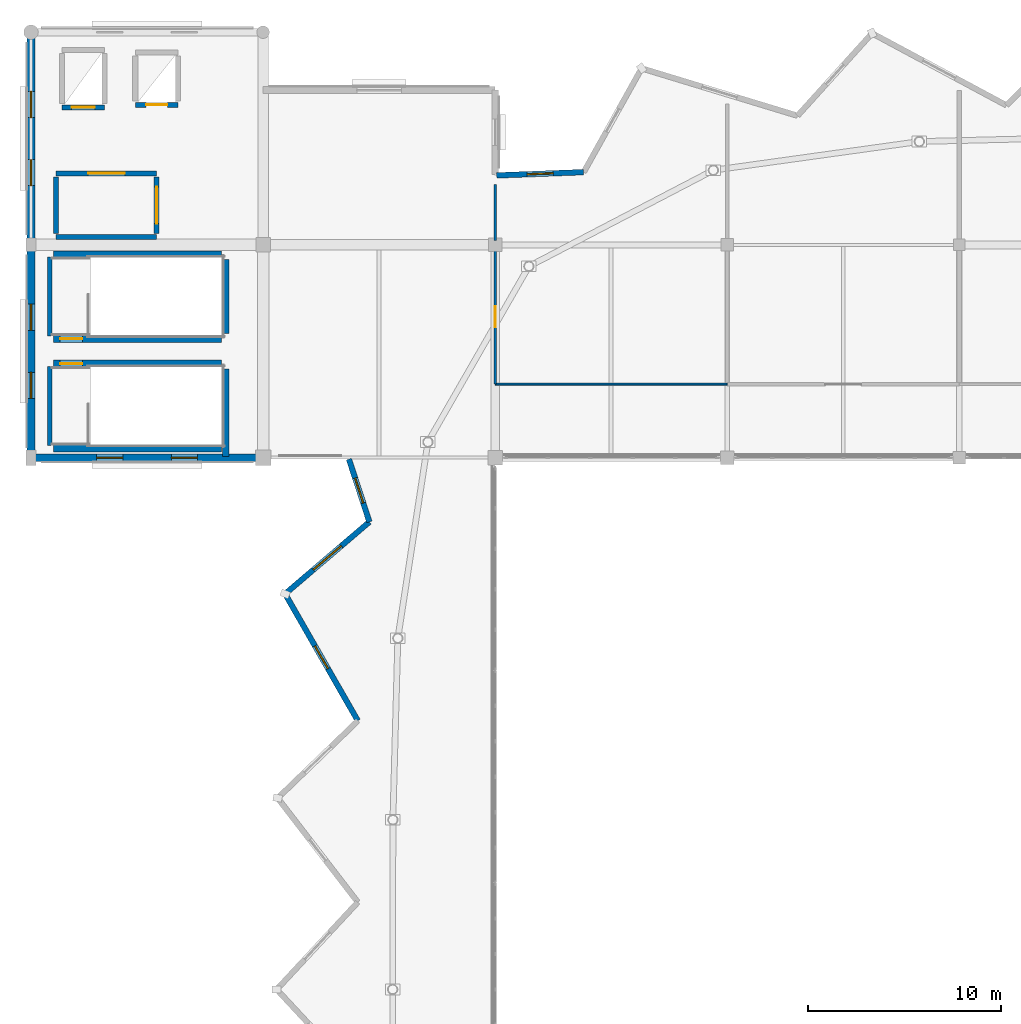
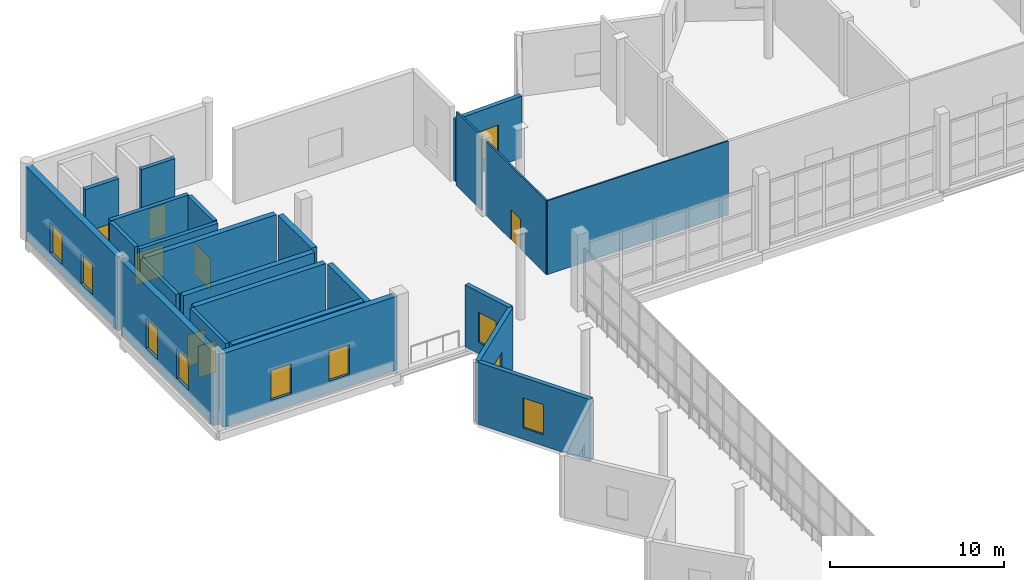
# One storey, part 41 of 49: 24 walls, 10 windows, 7 doors, 17 openings.
"""IFC4 building model written with IfcOpenShell, lengths in metres."""

from ifc_helpers import new_model, si_unit, direction, frame, frame_2d, origin, place, context, subcontext, project, spatial, rectangle, extrude, material, layer, layer_set, type_object, element, fill, save


model = new_model("IFC4")

# Units and contexts
model_context = context("Model", 3, precision=1e-05, world=origin(), true_north=direction((0.0, 1.0)))
body_context = subcontext(model_context, "Body", "Model", "MODEL_VIEW")
ifc_project = project(units=[si_unit("LENGTHUNIT", "METRE"), si_unit("AREAUNIT", "SQUARE_METRE"), si_unit("VOLUMEUNIT", "CUBIC_METRE"), si_unit("PLANEANGLEUNIT", "RADIAN"), si_unit("MASSUNIT", "GRAM", prefix="KILO")], contexts=[model_context])

# Site, building, storey
site_placement = place(None, origin())
site = spatial("IfcSite", under=ifc_project, at=site_placement, CompositionType="ELEMENT")
building_placement = place(site_placement, origin())
building = spatial("IfcBuilding", under=site, at=building_placement, Name="Luwafu Chhajja Arena", CompositionType="ELEMENT")
storey_placement = place(building_placement, frame((0.0, 0.0, 24.300048828125)))
storey = spatial("IfcBuildingStorey", under=building, at=storey_placement, Name="L05", CompositionType="ELEMENT", Elevation=24.300048828125)

# Wall
ifc_material_1 = material(Name="Gypsum plasterboard partition")
ifc_layer_1 = layer(ifc_material_1, 0.10009765625, Name="Gypsum plasterboard partition")
ifc_layer_set_1 = layer_set([ifc_layer_1], Name="Gypsum plasterboard partition")
wall_type_1 = type_object("IfcWallType", Name="Drywall Lining Partition 100", PredefinedType="PARTITIONING", material=ifc_layer_set_1)
wall_1_placement = place(storey_placement, frame((58.0, 80.800048828125, 0.0), z_axis=(0.0, 0.0, 1.0), x_axis=(1.0, 0.0, 0.0)))
element("IfcWall", 1, at=wall_1_placement, inside=storey, type_object=wall_type_1, Name="L05 Internal Partition 0350", PredefinedType="PARTITIONING", context=body_context, shape_type="SweptSolid", body=[
    extrude(rectangle(XDim=12.0, YDim=0.10009765625, at=frame_2d((6.0, 0.0))), origin(), (0.0, 0.0, 1.0), 5.179931640625),
])

# Wall, opening, door
ifc_material_2 = material(Name="Concrete C40/50", Category="concrete")
ifc_layer_2 = layer(ifc_material_2, 0.260009765625, Name="Concrete C40/50")
ifc_layer_set_2 = layer_set([ifc_layer_2], Name="Concrete C40/50")
wall_type_2 = type_object("IfcWallType", Name="Firefighting Lobby Wall 260", PredefinedType="SOLIDWALL", material=ifc_layer_set_2)
wall_2_placement = place(storey_placement, frame((35.300048828125, 91.699951171875, 0.0), z_axis=(0.0, 0.0, 1.0), x_axis=(1.0, 0.0, 0.0)))
wall_2 = element("IfcWall", 2, at=wall_2_placement, inside=storey, type_object=wall_type_2, Name="L05 Core C3 Firefighting Lobby Wall N", PredefinedType="SOLIDWALL", context=body_context, shape_type="SweptSolid", body=[
    extrude(rectangle(XDim=5.199951171875, YDim=0.260009765625, at=frame_2d((2.60009765625, 0.0))), origin(), (0.0, 0.0, 1.0), 5.179931640625),
])
opening_1_placement = place(wall_2_placement, frame((1.64990234375, 0.0, 0.0)))
opening_1 = element("IfcOpeningElement", 3, at=opening_1_placement, cuts=wall_2, Name="Opening DR-07", PredefinedType="OPENING", context=body_context, shape_type="SweptSolid", body=[
    extrude(rectangle(XDim=1.89990234375, YDim=2.199951171875, at=frame_2d((0.949951171875, 1.10009765625))), frame((0.0, 0.139892578125, 0.0), z_axis=(0.0, -1.0, 0.0), x_axis=(1.0, 0.0, 0.0)), (0.0, 0.0, 1.0), 0.280029296875),
])
ifc_material_3 = material(Name="Fire-rated hardwood and vision panel", Category="wood")
door_type_1 = type_object("IfcDoorType", Name="DR-07", OperationType="DOUBLE_DOOR_SINGLE_SWING", PredefinedType="DOOR", material=ifc_material_3)
door_1_placement = place(opening_1_placement, origin())
door_1 = element("IfcDoor", 4, at=door_1_placement, inside=storey, type_object=door_type_1, Name="L05 Firefighting Lobby C3 Door L05-D011", OperationType="DOUBLE_DOOR_SINGLE_SWING", OverallHeight=2.199951171875, OverallWidth=1.89990234375, PredefinedType="DOOR", context=body_context, shape_type="SweptSolid", body=[
    extrude(rectangle(XDim=1.89990234375, YDim=2.199951171875, at=frame_2d((0.949951171875, 1.10009765625))), frame((0.0, 0.02490234375, 0.0), z_axis=(0.0, -1.0, 0.0), x_axis=(1.0, 0.0, 0.0)), (0.0, 0.0, 1.0), 0.050048828125),
])
fill(opening_1, door_1)

# Walls
wall_3_placement = place(storey_placement, frame((35.300048828125, 88.39990234375, 0.0), z_axis=(0.0, 0.0, 1.0), x_axis=(1.0, 0.0, 0.0)))
element("IfcWall", 5, at=wall_3_placement, inside=storey, type_object=wall_type_2, Name="L05 Core C3 Firefighting Lobby Wall S", PredefinedType="SOLIDWALL", context=body_context, shape_type="SweptSolid", body=[
    extrude(rectangle(XDim=5.199951171875, YDim=0.260009765625, at=frame_2d((2.60009765625, 0.0))), origin(), (0.0, 0.0, 1.0), 5.179931640625),
])
wall_4_placement = place(storey_placement, frame((35.300048828125, 88.60009765625, 0.0), z_axis=(0.0, 0.0, 1.0), x_axis=(0.0, 1.0, 0.0)))
element("IfcWall", 6, at=wall_4_placement, inside=storey, type_object=wall_type_2, Name="L05 Core C3 Firefighting Lobby Wall W", PredefinedType="SOLIDWALL", context=body_context, shape_type="SweptSolid", body=[
    extrude(rectangle(XDim=2.89990234375, YDim=0.260009765625, at=frame_2d((1.449951171875, 0.0))), origin(), (0.0, 0.0, 1.0), 5.179931640625),
])

# Wall, opening, door
wall_5_placement = place(storey_placement, frame((40.5, 88.60009765625, 0.0), z_axis=(0.0, 0.0, 1.0), x_axis=(0.0, 1.0, 0.0)))
wall_5 = element("IfcWall", 7, at=wall_5_placement, inside=storey, type_object=wall_type_2, Name="L05 Core C3 Firefighting Lobby Wall E", PredefinedType="SOLIDWALL", context=body_context, shape_type="SweptSolid", body=[
    extrude(rectangle(XDim=2.89990234375, YDim=0.260009765625, at=frame_2d((1.449951171875, 0.0))), origin(), (0.0, 0.0, 1.0), 5.179931640625),
])
opening_2_placement = place(wall_5_placement, frame((0.5, 0.0, 0.0)))
opening_2 = element("IfcOpeningElement", 8, at=opening_2_placement, cuts=wall_5, Name="Opening DR-07", PredefinedType="OPENING", context=body_context, shape_type="SweptSolid", body=[
    extrude(rectangle(XDim=1.89990234375, YDim=2.199951171875, at=frame_2d((0.949951171875, 1.10009765625))), frame((0.0, 0.139892578125, 0.0), z_axis=(0.0, -1.0, 0.0), x_axis=(1.0, 0.0, 0.0)), (0.0, 0.0, 1.0), 0.280029296875),
])
door_2_placement = place(opening_2_placement, origin())
door_2 = element("IfcDoor", 9, at=door_2_placement, inside=storey, type_object=door_type_1, Name="L05 Firefighting Lobby C3 Door L05-D012", OperationType="DOUBLE_DOOR_SINGLE_SWING", OverallHeight=2.199951171875, OverallWidth=1.89990234375, PredefinedType="DOOR", context=body_context, shape_type="SweptSolid", body=[
    extrude(rectangle(XDim=1.89990234375, YDim=2.199951171875, at=frame_2d((0.949951171875, 1.10009765625))), frame((0.0, 0.02490234375, 0.0), z_axis=(0.0, -1.0, 0.0), x_axis=(1.0, 0.0, 0.0)), (0.0, 0.0, 1.0), 0.050048828125),
])
fill(opening_2, door_2)

ifc_material_4 = material(Name="Acoustic metal-stud gypsum board")
ifc_layer_3 = layer(ifc_material_4, 0.1201171875, Name="Acoustic metal-stud gypsum board")
ifc_layer_set_3 = layer_set([ifc_layer_3], Name="Acoustic metal-stud gypsum board")
wall_type_3 = type_object("IfcWallType", Name="Internal Room Partition 120", PredefinedType="PARTITIONING", material=ifc_layer_set_3)
wall_6_placement = place(storey_placement, frame((58.0, 80.800048828125, 0.0), z_axis=(0.0, 0.0, 1.0), x_axis=(0.0, 1.0, 0.0)))
wall_6 = element("IfcWall", 10, at=wall_6_placement, inside=storey, type_object=wall_type_3, Name="L05 Internal Partition 0337", PredefinedType="PARTITIONING", context=body_context, shape_type="SweptSolid", body=[
    extrude(rectangle(XDim=6.97998046875, YDim=0.1201171875, at=frame_2d((3.489990234375, 0.0))), origin(), (0.0, 0.0, 1.0), 5.179931640625),
])
opening_3_placement = place(wall_6_placement, frame((2.93994140625, 0.0, 0.0)))
opening_3 = element("IfcOpeningElement", 11, at=opening_3_placement, cuts=wall_6, Name="Opening DR-20", PredefinedType="OPENING", context=body_context, shape_type="SweptSolid", body=[
    extrude(rectangle(XDim=1.10009765625, YDim=2.10009765625, at=frame_2d((0.550048828125, 1.050048828125))), frame((0.0, 0.070068359375, 0.0), z_axis=(0.0, -1.0, 0.0), x_axis=(1.0, 0.0, 0.0)), (0.0, 0.0, 1.0), 0.14013671875),
])
ifc_material_5 = material(Name="Hygienic laminate single leaf")
door_type_2 = type_object("IfcDoorType", Name="DR-20", OperationType="NOTDEFINED", PredefinedType="DOOR", material=ifc_material_5)
door_3_placement = place(opening_3_placement, origin())
door_3 = element("IfcDoor", 12, at=door_3_placement, inside=storey, type_object=door_type_2, Name="L05 Interior Door L05-D018", OperationType="SINGLE_SWING_LEFT", OverallHeight=2.10009765625, OverallWidth=1.10009765625, PredefinedType="DOOR", context=body_context, shape_type="SweptSolid", body=[
    extrude(rectangle(XDim=1.10009765625, YDim=2.10009765625, at=frame_2d((0.550048828125, 1.050048828125))), frame((0.0, 0.02490234375, 0.0), z_axis=(0.0, -1.0, 0.0), x_axis=(1.0, 0.0, 0.0)), (0.0, 0.0, 1.0), 0.050048828125),
])
fill(opening_3, door_3)

# Wall
wall_7_placement = place(storey_placement, frame((58.0, 88.219970703125, 0.0), z_axis=(0.0, 0.0, 1.0), x_axis=(0.0, 1.0, 0.0)))
element("IfcWall", 13, at=wall_7_placement, inside=storey, type_object=wall_type_3, Name="L05 Internal Partition 0338", PredefinedType="PARTITIONING", context=body_context, shape_type="SweptSolid", body=[
    extrude(rectangle(XDim=2.892333984375, YDim=0.1201171875, at=frame_2d((1.4462890625, 0.0))), origin(), (0.0, 0.0, 1.0), 5.179931640625),
])

# Wall, opening, door
ifc_material_6 = material(Name="Concrete C35/45", Category="concrete")
ifc_layer_4 = layer(ifc_material_6, 0.260009765625, Name="Concrete C35/45")
ifc_layer_set_4 = layer_set([ifc_layer_4], Name="Concrete C35/45")
wall_type_4 = type_object("IfcWallType", Name="Lift and Riser Shaft Wall 260", PredefinedType="SOLIDWALL", material=ifc_layer_set_4)
wall_8_placement = place(storey_placement, frame((35.590087890625, 95.114990234375, 0.0), z_axis=(0.0, 0.0, 1.0), x_axis=(1.0, 0.0, 0.0)))
wall_8 = element("IfcWall", 14, at=wall_8_placement, inside=storey, type_object=wall_type_4, Name="L05 Lift LF-03 Shaft Wall S", PredefinedType="SOLIDWALL", context=body_context, shape_type="SweptSolid", body=[
    extrude(rectangle(XDim=2.219970703125, YDim=0.260009765625, at=frame_2d((1.10986328125, 0.0))), origin(), (0.0, 0.0, 1.0), 5.179931640625),
])
opening_4_placement = place(wall_8_placement, frame((0.510009765625, 0.0, 0.0)))
opening_4 = element("IfcOpeningElement", 15, at=opening_4_placement, cuts=wall_8, Name="Opening LD-02", PredefinedType="OPENING", context=body_context, shape_type="SweptSolid", body=[
    extrude(rectangle(XDim=1.199951171875, YDim=2.199951171875, at=frame_2d((0.60009765625, 1.10009765625))), frame((0.0, 0.139892578125, 0.0), z_axis=(0.0, -1.0, 0.0), x_axis=(1.0, 0.0, 0.0)), (0.0, 0.0, 1.0), 0.280029296875),
])
ifc_material_7 = material(Name="Brushed stainless steel sliding leaves", Category="steel")
door_type_3 = type_object("IfcDoorType", Name="LD-02", OperationType="SLIDING_TO_LEFT", PredefinedType="DOOR", material=ifc_material_7)
door_4_placement = place(opening_4_placement, origin())
door_4 = element("IfcDoor", 16, at=door_4_placement, inside=storey, type_object=door_type_3, Name="L05 Lift LF-03 Landing Door L05-LD05", OperationType="SLIDING_TO_LEFT", OverallHeight=2.199951171875, OverallWidth=1.199951171875, PredefinedType="DOOR", context=body_context, shape_type="SweptSolid", body=[
    extrude(rectangle(XDim=1.199951171875, YDim=2.199951171875, at=frame_2d((0.60009765625, 1.10009765625))), frame((0.0, 0.02490234375, 0.0), z_axis=(0.0, -1.0, 0.0), x_axis=(1.0, 0.0, 0.0)), (0.0, 0.0, 1.0), 0.050048828125),
])
fill(opening_4, door_4)

wall_9_placement = place(storey_placement, frame((39.389892578125, 95.239990234375, 0.0), z_axis=(0.0, 0.0, 1.0), x_axis=(1.0, 0.0, 0.0)))
wall_9 = element("IfcWall", 17, at=wall_9_placement, inside=storey, type_object=wall_type_4, Name="L05 Lift LF-07 Shaft Wall S", PredefinedType="SOLIDWALL", context=body_context, shape_type="SweptSolid", body=[
    extrude(rectangle(XDim=2.22021484375, YDim=0.260009765625, at=frame_2d((1.110107421875, 0.0))), origin(), (0.0, 0.0, 1.0), 5.179931640625),
])
opening_5_placement = place(wall_9_placement, frame((0.56005859375, 0.0, 0.0)))
opening_5 = element("IfcOpeningElement", 18, at=opening_5_placement, cuts=wall_9, Name="Opening LD-01", PredefinedType="OPENING", context=body_context, shape_type="SweptSolid", body=[
    extrude(rectangle(XDim=1.10009765625, YDim=2.14990234375, at=frame_2d((0.550048828125, 1.074951171875))), frame((0.0, 0.139892578125, 0.0), z_axis=(0.0, -1.0, 0.0), x_axis=(1.0, 0.0, 0.0)), (0.0, 0.0, 1.0), 0.280029296875),
])
door_type_4 = type_object("IfcDoorType", Name="LD-01", OperationType="SLIDING_TO_LEFT", PredefinedType="DOOR", material=ifc_material_7)
door_5_placement = place(opening_5_placement, origin())
door_5 = element("IfcDoor", 19, at=door_5_placement, inside=storey, type_object=door_type_4, Name="L05 Lift LF-07 Landing Door L05-LD06", OperationType="SLIDING_TO_LEFT", OverallHeight=2.14990234375, OverallWidth=1.10009765625, PredefinedType="DOOR", context=body_context, shape_type="SweptSolid", body=[
    extrude(rectangle(XDim=1.10009765625, YDim=2.14990234375, at=frame_2d((0.550048828125, 1.074951171875))), frame((0.0, 0.02490234375, 0.0), z_axis=(0.0, -1.0, 0.0), x_axis=(1.0, 0.0, 0.0)), (0.0, 0.0, 1.0), 0.050048828125),
])
fill(opening_5, door_5)

# Wall, opening, window
ifc_material_8 = material(Name="Precast concrete C40/50", Category="concrete")
ifc_layer_5 = layer(ifc_material_8, 0.2900390625, Name="Precast concrete C40/50")
ifc_layer_set_5 = layer_set([ifc_layer_5], Name="Precast concrete C40/50")
wall_type_5 = type_object("IfcWallType", Name="Pleated Bowl Upper V-Fold Wall 290", PredefinedType="USERDEFINED", material=ifc_layer_set_5)
wall_10_placement = place(storey_placement, frame((62.57421875, 91.76318359375, 0.0), z_axis=(0.0, 0.0, 1.0), x_axis=(-0.999296191983, -0.037511607381, 0.0)))
wall_10 = element("IfcWall", 20, at=wall_10_placement, inside=storey, type_object=wall_type_5, Name="L05 Pleated Bowl V-Fold Wall 24", ObjectType="PLEATED FACADE WALL", PredefinedType="USERDEFINED", context=body_context, shape_type="SweptSolid", body=[
    extrude(rectangle(XDim=4.497314453125, YDim=0.2900390625, at=frame_2d((2.24853515625, 0.0))), origin(), (0.0, 0.0, 1.0), 4.33984375),
])
opening_6_placement = place(wall_10_placement, frame((1.573486328125, 0.0, 0.800048828125)))
opening_6 = element("IfcOpeningElement", 21, at=opening_6_placement, cuts=wall_10, Name="Opening WN-17", PredefinedType="OPENING", context=body_context, shape_type="SweptSolid", body=[
    extrude(rectangle(XDim=1.35009765625, YDim=2.10009765625, at=frame_2d((0.675048828125, 1.050048828125))), frame((0.0, 0.155029296875, 0.0), z_axis=(0.0, -1.0, 0.0), x_axis=(1.0, 0.0, 0.0)), (0.0, 0.0, 1.0), 0.31005859375),
])
ifc_material_9 = material(Name="Solar-control laminated glass", Category="glass")
window_type_1 = type_object("IfcWindowType", Name="Exhibition Mezzanine Lancet Window 1350x2100", PartitioningType="SINGLE_PANEL", PredefinedType="WINDOW", material=ifc_material_9)
window_1_placement = place(opening_6_placement, origin())
window_1 = element("IfcWindow", 22, at=window_1_placement, inside=storey, type_object=window_type_1, Name="L05 Pleated Bowl Lancet Window 150", OverallHeight=2.10009765625, OverallWidth=1.35009765625, PartitioningType="SINGLE_PANEL", PredefinedType="WINDOW", context=body_context, shape_type="SweptSolid", body=[
    extrude(rectangle(XDim=1.35009765625, YDim=2.10009765625, at=frame_2d((0.675048828125, 1.050048828125))), frame((0.0, 0.030029296875, 0.0), z_axis=(0.0, -1.0, 0.0), x_axis=(1.0, 0.0, 0.0)), (0.0, 0.0, 1.0), 0.06005859375),
])
fill(opening_6, window_1)

wall_11_placement = place(storey_placement, frame((50.437744140625, 76.919921875, 0.0), z_axis=(0.0, 0.0, 1.0), x_axis=(0.310230166493, -0.950661476972, 0.0)))
wall_11 = element("IfcWall", 23, at=wall_11_placement, inside=storey, type_object=wall_type_5, Name="L05 Pleated Bowl V-Fold Wall 27", ObjectType="PLEATED FACADE WALL", PredefinedType="USERDEFINED", context=body_context, shape_type="SweptSolid", body=[
    extrude(rectangle(XDim=3.41064453125, YDim=0.2900390625, at=frame_2d((1.705322265625, 0.0))), origin(), (0.0, 0.0, 1.0), 4.33984375),
])
opening_7_placement = place(wall_11_placement, frame((1.0302734375, 0.0, 0.800048828125)))
opening_7 = element("IfcOpeningElement", 24, at=opening_7_placement, cuts=wall_11, Name="Opening WN-17", PredefinedType="OPENING", context=body_context, shape_type="SweptSolid", body=[
    extrude(rectangle(XDim=1.35009765625, YDim=2.10009765625, at=frame_2d((0.675048828125, 1.050048828125))), frame((0.0, 0.155029296875, 0.0), z_axis=(0.0, -1.0, 0.0), x_axis=(1.0, 0.0, 0.0)), (0.0, 0.0, 1.0), 0.31005859375),
])
window_2_placement = place(opening_7_placement, origin())
window_2 = element("IfcWindow", 25, at=window_2_placement, inside=storey, type_object=window_type_1, Name="L05 Pleated Bowl Lancet Window 151", OverallHeight=2.10009765625, OverallWidth=1.35009765625, PartitioningType="SINGLE_PANEL", PredefinedType="WINDOW", context=body_context, shape_type="SweptSolid", body=[
    extrude(rectangle(XDim=1.35009765625, YDim=2.10009765625, at=frame_2d((0.675048828125, 1.050048828125))), frame((0.0, 0.030029296875, 0.0), z_axis=(0.0, -1.0, 0.0), x_axis=(1.0, 0.0, 0.0)), (0.0, 0.0, 1.0), 0.06005859375),
])
fill(opening_7, window_2)

wall_12_placement = place(storey_placement, frame((51.495849609375, 73.677490234375, 0.0), z_axis=(0.0, 0.0, 1.0), x_axis=(-0.760445983194, -0.649401190824, 0.0)))
wall_12 = element("IfcWall", 26, at=wall_12_placement, inside=storey, type_object=wall_type_5, Name="L05 Pleated Bowl V-Fold Wall 28", ObjectType="PLEATED FACADE WALL", PredefinedType="USERDEFINED", context=body_context, shape_type="SweptSolid", body=[
    extrude(rectangle(XDim=5.731689453125, YDim=0.2900390625, at=frame_2d((2.86572265625, 0.0))), origin(), (0.0, 0.0, 1.0), 4.33984375),
])
opening_8_placement = place(wall_12_placement, frame((1.916015625, 0.0, 0.85009765625)))
opening_8 = element("IfcOpeningElement", 27, at=opening_8_placement, cuts=wall_12, Name="Opening WN-15", PredefinedType="OPENING", context=body_context, shape_type="SweptSolid", body=[
    extrude(rectangle(XDim=1.89990234375, YDim=1.60009765625, at=frame_2d((0.949951171875, 0.800048828125))), frame((0.0, 0.155029296875, 0.0), z_axis=(0.0, -1.0, 0.0), x_axis=(1.0, 0.0, 0.0)), (0.0, 0.0, 1.0), 0.31005859375),
])
window_type_2 = type_object("IfcWindowType", Name="Pleated Drum Inward-Fold Clerestory 1900x1600", PartitioningType="SINGLE_PANEL", PredefinedType="WINDOW", material=ifc_material_9)
window_3_placement = place(opening_8_placement, origin())
window_3 = element("IfcWindow", 28, at=window_3_placement, inside=storey, type_object=window_type_2, Name="L05 Pleated Bowl Lancet Window 152", OverallHeight=1.60009765625, OverallWidth=1.89990234375, PartitioningType="SINGLE_PANEL", PredefinedType="WINDOW", context=body_context, shape_type="SweptSolid", body=[
    extrude(rectangle(XDim=1.89990234375, YDim=1.60009765625, at=frame_2d((0.949951171875, 0.800048828125))), frame((0.0, 0.030029296875, 0.0), z_axis=(0.0, -1.0, 0.0), x_axis=(1.0, 0.0, 0.0)), (0.0, 0.0, 1.0), 0.06005859375),
])
fill(opening_8, window_3)

wall_13_placement = place(storey_placement, frame((47.13720703125, 69.955322265625, 0.0), z_axis=(0.0, 0.0, 1.0), x_axis=(0.497195545865, -0.86763851296, 0.0)))
wall_13 = element("IfcWall", 29, at=wall_13_placement, inside=storey, type_object=wall_type_5, Name="L05 Pleated Bowl V-Fold Wall 29", ObjectType="PLEATED FACADE WALL", PredefinedType="USERDEFINED", context=body_context, shape_type="SweptSolid", body=[
    extrude(rectangle(XDim=7.56201171875, YDim=0.2900390625, at=frame_2d((3.781005859375, 0.0))), origin(), (0.0, 0.0, 1.0), 4.33984375),
])
opening_9_placement = place(wall_13_placement, frame((3.10595703125, 0.0, 0.800048828125)))
opening_9 = element("IfcOpeningElement", 30, at=opening_9_placement, cuts=wall_13, Name="Opening WN-17", PredefinedType="OPENING", context=body_context, shape_type="SweptSolid", body=[
    extrude(rectangle(XDim=1.35009765625, YDim=2.10009765625, at=frame_2d((0.675048828125, 1.050048828125))), frame((0.0, 0.155029296875, 0.0), z_axis=(0.0, -1.0, 0.0), x_axis=(1.0, 0.0, 0.0)), (0.0, 0.0, 1.0), 0.31005859375),
])
window_4_placement = place(opening_9_placement, origin())
window_4 = element("IfcWindow", 31, at=window_4_placement, inside=storey, type_object=window_type_1, Name="L05 Pleated Bowl Lancet Window 153", OverallHeight=2.10009765625, OverallWidth=1.35009765625, PartitioningType="SINGLE_PANEL", PredefinedType="WINDOW", context=body_context, shape_type="SweptSolid", body=[
    extrude(rectangle(XDim=1.35009765625, YDim=2.10009765625, at=frame_2d((0.675048828125, 1.050048828125))), frame((0.0, 0.030029296875, 0.0), z_axis=(0.0, -1.0, 0.0), x_axis=(1.0, 0.0, 0.0)), (0.0, 0.0, 1.0), 0.06005859375),
])
fill(opening_9, window_4)

# Walls
ifc_layer_6 = layer(ifc_material_2, 0.35009765625, Name="Concrete C40/50")
ifc_layer_set_6 = layer_set([ifc_layer_6], Name="Concrete C40/50")
wall_type_6 = type_object("IfcWallType", Name="RC Core Shear Wall 350", PredefinedType="SOLIDWALL", material=ifc_layer_set_6)
wall_14_placement = place(storey_placement, frame((44.072021484375, 77.050048828125, 0.0), z_axis=(0.0, 0.0, 1.0), x_axis=(0.0, 1.0, 0.0)))
element("IfcWall", 32, at=wall_14_placement, inside=storey, type_object=wall_type_6, Name="L05 Stair ST-05 Core Shear Wall E", PredefinedType="SOLIDWALL", context=body_context, shape_type="SweptSolid", body=[
    extrude(rectangle(XDim=4.5400390625, YDim=0.35009765625, at=frame_2d((2.27001953125, 0.0))), origin(), (0.0, 0.0, 1.0), 5.179931640625),
])
wall_15_placement = place(storey_placement, frame((35.14990234375, 77.47802734375, 0.0), z_axis=(0.0, 0.0, 1.0), x_axis=(1.0, 0.0, 0.0)))
element("IfcWall", 33, at=wall_15_placement, inside=storey, type_object=wall_type_6, Name="L05 Stair ST-05 Core Shear Wall S", PredefinedType="SOLIDWALL", context=body_context, shape_type="SweptSolid", body=[
    extrude(rectangle(XDim=8.7001953125, YDim=0.35009765625, at=frame_2d((4.35009765625, 0.0))), origin(), (0.0, 0.0, 1.0), 5.179931640625),
])

# Wall, opening, door
wall_16_placement = place(storey_placement, frame((35.14990234375, 81.862060546875, 0.0), z_axis=(0.0, 0.0, 1.0), x_axis=(1.0, 0.0, 0.0)))
wall_16 = element("IfcWall", 34, at=wall_16_placement, inside=storey, type_object=wall_type_6, Name="L05 Stair ST-05 Core Shear Wall N", PredefinedType="SOLIDWALL", context=body_context, shape_type="SweptSolid", body=[
    extrude(rectangle(XDim=8.7001953125, YDim=0.35009765625, at=frame_2d((4.35009765625, 0.0))), origin(), (0.0, 0.0, 1.0), 5.179931640625),
])
opening_10_placement = place(wall_16_placement, frame((0.35009765625, 0.0, 0.0)))
opening_10 = element("IfcOpeningElement", 35, at=opening_10_placement, cuts=wall_16, Name="Opening DR-06", PredefinedType="OPENING", context=body_context, shape_type="SweptSolid", body=[
    extrude(rectangle(XDim=1.14990234375, YDim=2.199951171875, at=frame_2d((0.574951171875, 1.10009765625))), frame((0.0, 0.18505859375, 0.0), z_axis=(0.0, -1.0, 0.0), x_axis=(1.0, 0.0, 0.0)), (0.0, 0.0, 1.0), 0.3701171875),
])
ifc_material_10 = material(Name="Fire-rated hardwood and steel core", Category="steel")
door_type_5 = type_object("IfcDoorType", Name="DR-06", OperationType="NOTDEFINED", PredefinedType="DOOR", material=ifc_material_10)
door_6_placement = place(opening_10_placement, origin())
door_6 = element("IfcDoor", 36, at=door_6_placement, inside=storey, type_object=door_type_5, Name="L05 Escape Stair ST-05 Fire Door L05-D009", OperationType="SINGLE_SWING_RIGHT", OverallHeight=2.199951171875, OverallWidth=1.14990234375, PredefinedType="DOOR", context=body_context, shape_type="SweptSolid", body=[
    extrude(rectangle(XDim=1.14990234375, YDim=2.199951171875, at=frame_2d((0.574951171875, 1.10009765625))), frame((0.0, 0.02490234375, 0.0), z_axis=(0.0, -1.0, 0.0), x_axis=(1.0, 0.0, 0.0)), (0.0, 0.0, 1.0), 0.050048828125),
])
fill(opening_10, door_6)

# Wall
wall_17_placement = place(storey_placement, frame((44.072021484375, 83.409912109375, 0.0), z_axis=(0.0, 0.0, 1.0), x_axis=(0.0, 1.0, 0.0)))
element("IfcWall", 37, at=wall_17_placement, inside=storey, type_object=wall_type_6, Name="L05 Stair ST-06 Core Shear Wall E", PredefinedType="SOLIDWALL", context=body_context, shape_type="SweptSolid", body=[
    extrude(rectangle(XDim=3.840087890625, YDim=0.35009765625, at=frame_2d((1.919921875, 0.0))), origin(), (0.0, 0.0, 1.0), 5.179931640625),
])

# Wall, opening, door
wall_18_placement = place(storey_placement, frame((35.14990234375, 83.137939453125, 0.0), z_axis=(0.0, 0.0, 1.0), x_axis=(1.0, 0.0, 0.0)))
wall_18 = element("IfcWall", 38, at=wall_18_placement, inside=storey, type_object=wall_type_6, Name="L05 Stair ST-06 Core Shear Wall S", PredefinedType="SOLIDWALL", context=body_context, shape_type="SweptSolid", body=[
    extrude(rectangle(XDim=8.7001953125, YDim=0.35009765625, at=frame_2d((4.35009765625, 0.0))), origin(), (0.0, 0.0, 1.0), 5.179931640625),
])
opening_11_placement = place(wall_18_placement, frame((0.35009765625, 0.0, 0.0)))
opening_11 = element("IfcOpeningElement", 39, at=opening_11_placement, cuts=wall_18, Name="Opening DR-06", PredefinedType="OPENING", context=body_context, shape_type="SweptSolid", body=[
    extrude(rectangle(XDim=1.14990234375, YDim=2.199951171875, at=frame_2d((0.574951171875, 1.10009765625))), frame((0.0, 0.18505859375, 0.0), z_axis=(0.0, -1.0, 0.0), x_axis=(1.0, 0.0, 0.0)), (0.0, 0.0, 1.0), 0.3701171875),
])
door_7_placement = place(opening_11_placement, origin())
door_7 = element("IfcDoor", 40, at=door_7_placement, inside=storey, type_object=door_type_5, Name="L05 Escape Stair ST-06 Fire Door L05-D010", OperationType="SINGLE_SWING_LEFT", OverallHeight=2.199951171875, OverallWidth=1.14990234375, PredefinedType="DOOR", context=body_context, shape_type="SweptSolid", body=[
    extrude(rectangle(XDim=1.14990234375, YDim=2.199951171875, at=frame_2d((0.574951171875, 1.10009765625))), frame((0.0, 0.02490234375, 0.0), z_axis=(0.0, -1.0, 0.0), x_axis=(1.0, 0.0, 0.0)), (0.0, 0.0, 1.0), 0.050048828125),
])
fill(opening_11, door_7)

# Wall
wall_19_placement = place(storey_placement, frame((35.14990234375, 87.52197265625, 0.0), z_axis=(0.0, 0.0, 1.0), x_axis=(1.0, 0.0, 0.0)))
element("IfcWall", 41, at=wall_19_placement, inside=storey, type_object=wall_type_6, Name="L05 Stair ST-06 Core Shear Wall N", PredefinedType="SOLIDWALL", context=body_context, shape_type="SweptSolid", body=[
    extrude(rectangle(XDim=8.7001953125, YDim=0.35009765625, at=frame_2d((4.35009765625, 0.0))), origin(), (0.0, 0.0, 1.0), 5.179931640625),
])

# Wall, openings, windows
ifc_layer_7 = layer(ifc_material_2, 0.39990234375, Name="Concrete C40/50")
ifc_layer_set_7 = layer_set([ifc_layer_7], Name="Concrete C40/50")
wall_type_7 = type_object("IfcWallType", Name="RC Core Shear Wall 400", PredefinedType="SOLIDWALL", material=ifc_layer_set_7)
wall_20_placement = place(storey_placement, frame((34.219970703125, 77.0, 0.0), z_axis=(0.0, 0.0, 1.0), x_axis=(1.0, 0.0, 0.0)))
wall_20 = element("IfcWall", 42, at=wall_20_placement, inside=storey, type_object=wall_type_7, Name="L05 Exterior Wall WEX-L05-236", PredefinedType="SOLIDWALL", context=body_context, shape_type="SweptSolid", body=[
    extrude(rectangle(XDim=11.56005859375, YDim=0.39990234375, at=frame_2d((5.780029296875, 0.0))), origin(), (0.0, 0.0, 1.0), 5.18505859375),
])
opening_12_placement = place(wall_20_placement, frame((3.17822265625, 0.0, 0.800048828125)))
opening_12 = element("IfcOpeningElement", 43, at=opening_12_placement, cuts=wall_20, Name="Opening WN-17", PredefinedType="OPENING", context=body_context, shape_type="SweptSolid", body=[
    extrude(rectangle(XDim=1.35009765625, YDim=2.10009765625, at=frame_2d((0.675048828125, 1.050048828125))), frame((0.0, 0.2099609375, 0.0), z_axis=(0.0, -1.0, 0.0), x_axis=(1.0, 0.0, 0.0)), (0.0, 0.0, 1.0), 0.419921875),
])
opening_13_placement = place(wall_20_placement, frame((7.03173828125, 0.0, 0.800048828125)))
opening_13 = element("IfcOpeningElement", 44, at=opening_13_placement, cuts=wall_20, Name="Opening WN-17", PredefinedType="OPENING", context=body_context, shape_type="SweptSolid", body=[
    extrude(rectangle(XDim=1.35009765625, YDim=2.10009765625, at=frame_2d((0.675048828125, 1.050048828125))), frame((0.0, 0.2099609375, 0.0), z_axis=(0.0, -1.0, 0.0), x_axis=(1.0, 0.0, 0.0)), (0.0, 0.0, 1.0), 0.419921875),
])
window_5_placement = place(opening_12_placement, origin())
window_5 = element("IfcWindow", 45, at=window_5_placement, inside=storey, type_object=window_type_1, Name="L05 Facade Window 218", OverallHeight=2.10009765625, OverallWidth=1.35009765625, PartitioningType="SINGLE_PANEL", PredefinedType="WINDOW", context=body_context, shape_type="SweptSolid", body=[
    extrude(rectangle(XDim=1.35009765625, YDim=2.10009765625, at=frame_2d((0.675048828125, 1.050048828125))), frame((0.0, 0.030029296875, 0.0), z_axis=(0.0, -1.0, 0.0), x_axis=(1.0, 0.0, 0.0)), (0.0, 0.0, 1.0), 0.06005859375),
])
fill(opening_12, window_5)
window_6_placement = place(opening_13_placement, origin())
window_6 = element("IfcWindow", 46, at=window_6_placement, inside=storey, type_object=window_type_1, Name="L05 Facade Window 219", OverallHeight=2.10009765625, OverallWidth=1.35009765625, PartitioningType="SINGLE_PANEL", PredefinedType="WINDOW", context=body_context, shape_type="SweptSolid", body=[
    extrude(rectangle(XDim=1.35009765625, YDim=2.10009765625, at=frame_2d((0.675048828125, 1.050048828125))), frame((0.0, 0.030029296875, 0.0), z_axis=(0.0, -1.0, 0.0), x_axis=(1.0, 0.0, 0.0)), (0.0, 0.0, 1.0), 0.06005859375),
])
fill(opening_13, window_6)

wall_21_placement = place(storey_placement, frame((34.0, 77.219970703125, 0.0), z_axis=(0.0, 0.0, 1.0), x_axis=(0.0, 1.0, 0.0)))
wall_21 = element("IfcWall", 47, at=wall_21_placement, inside=storey, type_object=wall_type_7, Name="L05 Exterior Wall WEX-L05-237", PredefinedType="SOLIDWALL", context=body_context, shape_type="SweptSolid", body=[
    extrude(rectangle(XDim=10.56005859375, YDim=0.39990234375, at=frame_2d((5.280029296875, 0.0))), origin(), (0.0, 0.0, 1.0), 5.18505859375),
])
opening_14_placement = place(wall_21_placement, frame((2.844970703125, 0.0, 0.800048828125)))
opening_14 = element("IfcOpeningElement", 48, at=opening_14_placement, cuts=wall_21, Name="Opening WN-17", PredefinedType="OPENING", context=body_context, shape_type="SweptSolid", body=[
    extrude(rectangle(XDim=1.35009765625, YDim=2.10009765625, at=frame_2d((0.675048828125, 1.050048828125))), frame((0.0, 0.2099609375, 0.0), z_axis=(0.0, -1.0, 0.0), x_axis=(1.0, 0.0, 0.0)), (0.0, 0.0, 1.0), 0.419921875),
])
opening_15_placement = place(wall_21_placement, frame((6.364990234375, 0.0, 0.800048828125)))
opening_15 = element("IfcOpeningElement", 49, at=opening_15_placement, cuts=wall_21, Name="Opening WN-17", PredefinedType="OPENING", context=body_context, shape_type="SweptSolid", body=[
    extrude(rectangle(XDim=1.35009765625, YDim=2.10009765625, at=frame_2d((0.675048828125, 1.050048828125))), frame((0.0, 0.2099609375, 0.0), z_axis=(0.0, -1.0, 0.0), x_axis=(1.0, 0.0, 0.0)), (0.0, 0.0, 1.0), 0.419921875),
])
window_7_placement = place(opening_14_placement, origin())
window_7 = element("IfcWindow", 50, at=window_7_placement, inside=storey, type_object=window_type_1, Name="L05 Facade Window 220", OverallHeight=2.10009765625, OverallWidth=1.35009765625, PartitioningType="SINGLE_PANEL", PredefinedType="WINDOW", context=body_context, shape_type="SweptSolid", body=[
    extrude(rectangle(XDim=1.35009765625, YDim=2.10009765625, at=frame_2d((0.675048828125, 1.050048828125))), frame((0.0, 0.030029296875, 0.0), z_axis=(0.0, -1.0, 0.0), x_axis=(1.0, 0.0, 0.0)), (0.0, 0.0, 1.0), 0.06005859375),
])
fill(opening_14, window_7)
window_8_placement = place(opening_15_placement, origin())
window_8 = element("IfcWindow", 51, at=window_8_placement, inside=storey, type_object=window_type_1, Name="L05 Facade Window 221", OverallHeight=2.10009765625, OverallWidth=1.35009765625, PartitioningType="SINGLE_PANEL", PredefinedType="WINDOW", context=body_context, shape_type="SweptSolid", body=[
    extrude(rectangle(XDim=1.35009765625, YDim=2.10009765625, at=frame_2d((0.675048828125, 1.050048828125))), frame((0.0, 0.030029296875, 0.0), z_axis=(0.0, -1.0, 0.0), x_axis=(1.0, 0.0, 0.0)), (0.0, 0.0, 1.0), 0.06005859375),
])
fill(opening_15, window_8)

wall_22_placement = place(storey_placement, frame((34.0, 88.219970703125, 0.0), z_axis=(0.0, 0.0, 1.0), x_axis=(0.0, 1.0, 0.0)))
wall_22 = element("IfcWall", 52, at=wall_22_placement, inside=storey, type_object=wall_type_7, Name="L05 Exterior Wall WEX-L05-239", PredefinedType="SOLIDWALL", context=body_context, shape_type="SweptSolid", body=[
    extrude(rectangle(XDim=10.56005859375, YDim=0.39990234375, at=frame_2d((5.280029296875, 0.0))), origin(), (0.0, 0.0, 1.0), 5.18505859375),
])
opening_16_placement = place(wall_22_placement, frame((2.844970703125, 0.0, 0.800048828125)))
opening_16 = element("IfcOpeningElement", 53, at=opening_16_placement, cuts=wall_22, Name="Opening WN-17", PredefinedType="OPENING", context=body_context, shape_type="SweptSolid", body=[
    extrude(rectangle(XDim=1.35009765625, YDim=2.10009765625, at=frame_2d((0.675048828125, 1.050048828125))), frame((0.0, 0.2099609375, 0.0), z_axis=(0.0, -1.0, 0.0), x_axis=(1.0, 0.0, 0.0)), (0.0, 0.0, 1.0), 0.419921875),
])
opening_17_placement = place(wall_22_placement, frame((6.364990234375, 0.0, 0.800048828125)))
opening_17 = element("IfcOpeningElement", 54, at=opening_17_placement, cuts=wall_22, Name="Opening WN-17", PredefinedType="OPENING", context=body_context, shape_type="SweptSolid", body=[
    extrude(rectangle(XDim=1.35009765625, YDim=2.10009765625, at=frame_2d((0.675048828125, 1.050048828125))), frame((0.0, 0.2099609375, 0.0), z_axis=(0.0, -1.0, 0.0), x_axis=(1.0, 0.0, 0.0)), (0.0, 0.0, 1.0), 0.419921875),
])
window_9_placement = place(opening_16_placement, origin())
window_9 = element("IfcWindow", 55, at=window_9_placement, inside=storey, type_object=window_type_1, Name="L05 Facade Window 224", OverallHeight=2.10009765625, OverallWidth=1.35009765625, PartitioningType="SINGLE_PANEL", PredefinedType="WINDOW", context=body_context, shape_type="SweptSolid", body=[
    extrude(rectangle(XDim=1.35009765625, YDim=2.10009765625, at=frame_2d((0.675048828125, 1.050048828125))), frame((0.0, 0.030029296875, 0.0), z_axis=(0.0, -1.0, 0.0), x_axis=(1.0, 0.0, 0.0)), (0.0, 0.0, 1.0), 0.06005859375),
])
fill(opening_16, window_9)
window_10_placement = place(opening_17_placement, origin())
window_10 = element("IfcWindow", 56, at=window_10_placement, inside=storey, type_object=window_type_1, Name="L05 Facade Window 225", OverallHeight=2.10009765625, OverallWidth=1.35009765625, PartitioningType="SINGLE_PANEL", PredefinedType="WINDOW", context=body_context, shape_type="SweptSolid", body=[
    extrude(rectangle(XDim=1.35009765625, YDim=2.10009765625, at=frame_2d((0.675048828125, 1.050048828125))), frame((0.0, 0.030029296875, 0.0), z_axis=(0.0, -1.0, 0.0), x_axis=(1.0, 0.0, 0.0)), (0.0, 0.0, 1.0), 0.06005859375),
])
fill(opening_17, window_10)

# Walls
ifc_layer_8 = layer(ifc_material_6, 0.22998046875, Name="Concrete C35/45")
ifc_layer_set_8 = layer_set([ifc_layer_8], Name="Concrete C35/45")
wall_type_8 = type_object("IfcWallType", Name="Stair Enclosure Wall 230", PredefinedType="SOLIDWALL", material=ifc_layer_set_8)
for number, where, z_axis, x_axis, name in (
    (57, (34.9599609375, 77.6298828125, 0.0), (0.0, 0.0, 1.0), (0.0, 1.0, 0.0), "L05 Stair ST-05 Enclosure Wall W"),
    (58, (34.9599609375, 83.2900390625, 0.0), (0.0, 0.0, 1.0), (0.0, 1.0, 0.0), "L05 Stair ST-06 Enclosure Wall W"),
):
    element("IfcWall", number, at=place(storey_placement, frame(where, z_axis=z_axis, x_axis=x_axis)), inside=storey, type_object=wall_type_8, Name=name, PredefinedType="SOLIDWALL", context=body_context, shape_type="SweptSolid", body=[
        extrude(rectangle(XDim=4.080078125, YDim=0.22998046875, at=frame_2d((2.0400390625, 0.0))), origin(), (0.0, 0.0, 1.0), 5.179931640625),
    ])

save(model, "model.ifc")
